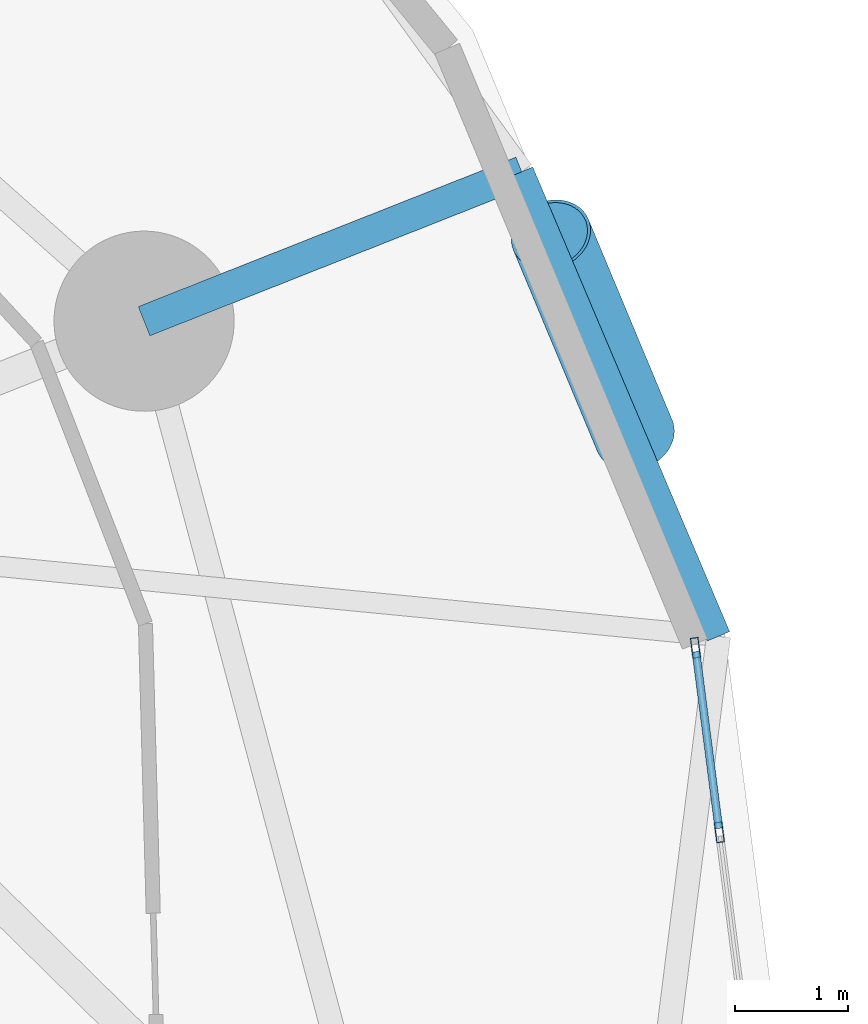
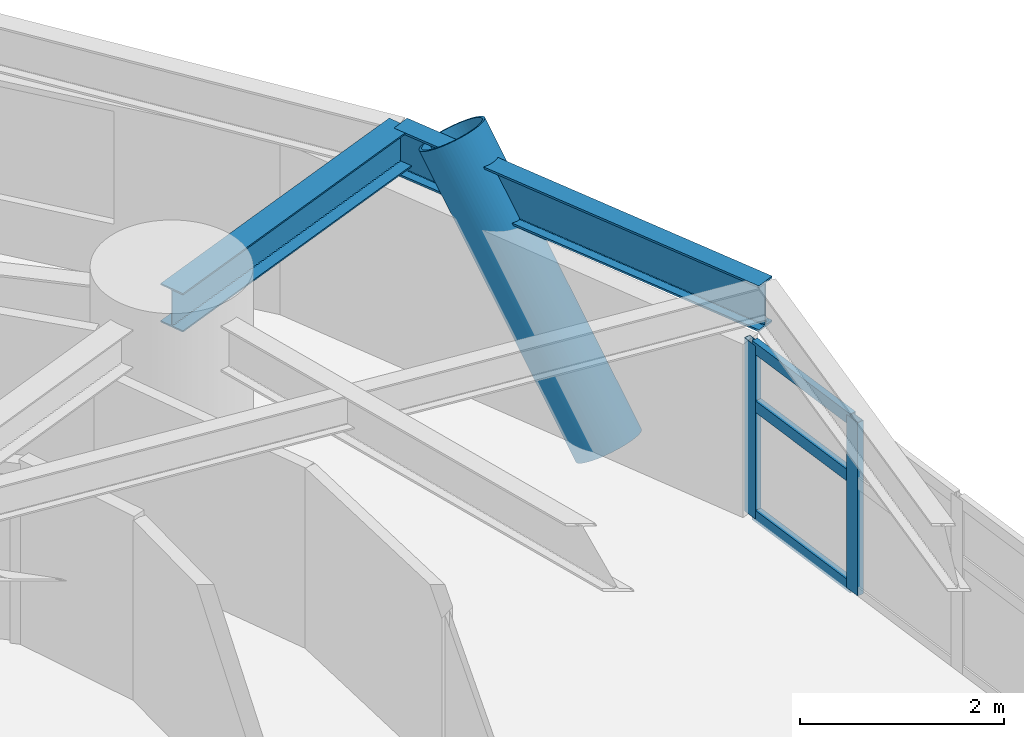
# One storey, part 4 of 19: 6 members, 2 beams, 1 element without a shape of its own.
"""IFC4 building model written with IfcOpenShell, lengths in metres."""

from ifc_helpers import new_model, si_unit, direction, frame, origin, origin_2d, place, context, subcontext, project, spatial, hollow_rectangle, hollow_circle, i_section, extrude, material, layer, layer_set, material_profile, profile_set, type_object, element, aggregate, save


model = new_model("IFC4")

# Units and contexts
model_context = context("Model", 3, precision=1e-05, world=origin(), true_north=direction((0.0, 1.0)))
body_context = subcontext(model_context, "Body", "Model", "MODEL_VIEW")
ifc_project = project(units=[si_unit("LENGTHUNIT", "METRE"), si_unit("AREAUNIT", "SQUARE_METRE"), si_unit("VOLUMEUNIT", "CUBIC_METRE"), si_unit("PLANEANGLEUNIT", "RADIAN"), si_unit("MASSUNIT", "GRAM", prefix="KILO")], contexts=[model_context])

# Site, building, storey
site_placement = place(None, origin())
site = spatial("IfcSite", under=ifc_project, at=site_placement, CompositionType="ELEMENT")
building_placement = place(site_placement, origin())
building = spatial("IfcBuilding", under=site, at=building_placement, Name="Cununo Teusaquillo Station Towers", CompositionType="ELEMENT")
storey_placement = place(building_placement, frame((0.0, 0.0, 42.3701171875)))
storey = spatial("IfcBuildingStorey", under=building, at=storey_placement, Name="L12", CompositionType="ELEMENT", Elevation=42.3701171875)

# Beams
ifc_material_1 = material(Name="Steel ASTM A572 Grade 50", Category="steel")
ifc_material_profile_1 = material_profile(ifc_material_1, i_section(OverallWidth=0.280029296875, OverallDepth=0.462890625, WebThickness=0.0107421875, FlangeThickness=0.017333984375, FilletRadius=0.013916015625, at=origin_2d()), Name="W18X76")
ifc_profile_set_1 = profile_set([ifc_material_profile_1], Name="Steel ASTM A572 Grade 50")
beam_type_1 = type_object("IfcBeamType", Name="BM-RAD-G1", PredefinedType="BEAM", material=ifc_profile_set_1)
beam_1_placement = place(storey_placement, frame((26.347412109375, 33.228515625, 2.41845703125), z_axis=(0.92986596044, 0.367898485476, 0.0), x_axis=(-0.367898485476, 0.92986596044, 0.0)))
element("IfcBeam", 1, at=beam_1_placement, inside=storey, type_object=beam_type_1, Name="L12 Tower A Perimeter Overhang Girder 02B", PredefinedType="BEAM", context=body_context, shape_type="SweptSolid", body=[
    extrude(i_section(OverallWidth=0.280029296875, OverallDepth=0.462890625, WebThickness=0.0107421875, FlangeThickness=0.017333984375, FilletRadius=0.013916015625, at=origin_2d()), origin(), (0.0, 0.0, 1.0), 3.606689453125),
])
ifc_material_2 = material(Name="Steel ASTM A572 Grade 50", Category="steel")
ifc_material_profile_2 = material_profile(ifc_material_2, i_section(OverallWidth=0.214111328125, OverallDepth=0.549072265625, WebThickness=0.0146484375, FlangeThickness=0.023681640625, FilletRadius=0.014892578125, at=origin_2d()), Name="W21X93")
ifc_profile_set_2 = profile_set([ifc_material_profile_2], Name="Steel ASTM A572 Grade 50")
beam_type_2 = type_object("IfcBeamType", Name="BM-RING-Z1", PredefinedType="SPANDREL", material=ifc_profile_set_2)
beam_2_placement = place(storey_placement, frame((31.44970703125, 30.429931640625, 2.37548828125), z_axis=(-0.390233589069, 0.920715887754, 0.0), x_axis=(-0.920715887754, -0.390233589069, 0.0)))
element("IfcBeam", 2, at=beam_2_placement, inside=storey, type_object=beam_type_2, Name="L12 Tower A Spandrel Ring Beam 02", PredefinedType="SPANDREL", context=body_context, shape_type="SweptSolid", body=[
    extrude(i_section(OverallWidth=0.214111328125, OverallDepth=0.549072265625, WebThickness=0.0146484375, FlangeThickness=0.023681640625, FilletRadius=0.014892578125, at=origin_2d()), origin(), (0.0, 0.0, 1.0), 4.480712890625),
])

# Curtain wall, members
ifc_material_3 = material(Name="Ceramic-fritted dark low-E double glazing", Category="glass")
ifc_layer = layer(ifc_material_3, 0.179931640625)
ifc_layer_set = layer_set([ifc_layer], Name="Ceramic-fritted dark low-E double glazing")
curtain_wall_type = type_object("IfcCurtainWallType", Name="CW-SYS-02", PredefinedType="USERDEFINED", material=ifc_layer_set)
curtain_wall_placement = place(storey_placement, origin())
curtain_wall = element("IfcCurtainWall", 3, at=curtain_wall_placement, inside=storey, type_object=curtain_wall_type, Name="L12 Tower A Facade Curtain Wall C00", ObjectType="FRITTED GLAZING", PredefinedType="USERDEFINED")
ifc_material_4 = material(Name="Anodised dark bronze aluminium EN AW-6063-T6", Category="aluminium")
ifc_material_profile_3 = material_profile(ifc_material_4, hollow_rectangle(XDim=0.070068359375, YDim=0.179931640625, WallThickness=0.00390625, at=origin_2d()), Name="CW-MULL-70x180")
ifc_profile_set_3 = profile_set([ifc_material_profile_3], Name="Anodised dark bronze aluminium EN AW-6063-T6")
member_type_1 = type_object("IfcMemberType", Name="CWM-180", PredefinedType="MULLION", material=ifc_profile_set_3)
member_1_placement = place(storey_placement, frame((31.244873046875, 30.327392578125, 0.0), z_axis=(0.0, 0.0, 1.0), x_axis=(0.991730798481, 0.128335588771, 0.0)))
member_1 = element("IfcMember", 4, at=member_1_placement, type_object=member_type_1, Name="CW-02 mullion 1", PredefinedType="MULLION", context=body_context, shape_type="SweptSolid", body=[
    extrude(hollow_rectangle(XDim=0.070068359375, YDim=0.179931640625, WallThickness=0.00390625, at=origin_2d()), origin(), (0.0, 0.0, 1.0), 2.072998046875),
])
member_2_placement = place(storey_placement, frame((31.456787109375, 28.68896484375, 0.0), z_axis=(0.0, 0.0, 1.0), x_axis=(0.991730798481, 0.128335588771, 0.0)))
member_2 = element("IfcMember", 5, at=member_2_placement, type_object=member_type_1, Name="CW-02 mullion 2", PredefinedType="MULLION", context=body_context, shape_type="SweptSolid", body=[
    extrude(hollow_rectangle(XDim=0.070068359375, YDim=0.179931640625, WallThickness=0.00390625, at=origin_2d()), origin(), (0.0, 0.0, 1.0), 2.072998046875),
])
ifc_material_5 = material(Name="Anodised dark bronze aluminium EN AW-6063-T6", Category="aluminium")
ifc_material_profile_4 = material_profile(ifc_material_5, hollow_rectangle(XDim=0.070068359375, YDim=0.139892578125, WallThickness=0.00390625, at=origin_2d()), Name="CW-TRAN-70x140")
ifc_profile_set_4 = profile_set([ifc_material_profile_4], Name="Anodised dark bronze aluminium EN AW-6063-T6")
member_type_2 = type_object("IfcMemberType", Name="CWT-140", PredefinedType="USERDEFINED", material=ifc_profile_set_4)
member_3_placement = place(storey_placement, frame((31.249267578125, 30.292724609375, 0.034912109375), z_axis=(0.128402247984, -0.991722170123, 0.0), x_axis=(0.991722170123, 0.128402247984, 0.0)))
member_3 = element("IfcMember", 6, at=member_3_placement, type_object=member_type_2, Name="CW-02 transom 1.1", ObjectType="TRANSOM", PredefinedType="USERDEFINED", context=body_context, shape_type="SweptSolid", body=[
    extrude(hollow_rectangle(XDim=0.070068359375, YDim=0.139892578125, WallThickness=0.00390625, at=origin_2d()), origin(), (0.0, 0.0, 1.0), 1.58203125),
])
member_4_placement = place(storey_placement, frame((31.249267578125, 30.292724609375, 1.346923828125), z_axis=(0.128402247984, -0.991722170123, 0.0), x_axis=(0.991722170123, 0.128402247984, 0.0)))
member_4 = element("IfcMember", 7, at=member_4_placement, type_object=member_type_2, Name="CW-02 transom 1.2", ObjectType="TRANSOM", PredefinedType="USERDEFINED", context=body_context, shape_type="SweptSolid", body=[
    extrude(hollow_rectangle(XDim=0.070068359375, YDim=0.139892578125, WallThickness=0.00390625, at=origin_2d()), origin(), (0.0, 0.0, 1.0), 1.58203125),
])
member_5_placement = place(storey_placement, frame((31.249267578125, 30.292724609375, 2.037841796875), z_axis=(0.128402247984, -0.991722170123, 0.0), x_axis=(0.991722170123, 0.128402247984, 0.0)))
member_5 = element("IfcMember", 8, at=member_5_placement, type_object=member_type_2, Name="CW-02 transom 1.3", ObjectType="TRANSOM", PredefinedType="USERDEFINED", context=body_context, shape_type="SweptSolid", body=[
    extrude(hollow_rectangle(XDim=0.070068359375, YDim=0.139892578125, WallThickness=0.00390625, at=origin_2d()), origin(), (0.0, 0.0, 1.0), 1.58203125),
])
aggregate(curtain_wall, [member_1, member_2, member_3, member_4, member_5])

# Member
ifc_material_6 = material(Name="Steel EN 10025-2 S355J2", Category="steel")
ifc_material_profile_5 = material_profile(ifc_material_6, hollow_circle(Radius=0.360107421875, WallThickness=0.028076171875, at=origin_2d()), Name="CHS 720x28")
ifc_profile_set_5 = profile_set([ifc_material_profile_5], Name="Steel EN 10025-2 S355J2")
member_type_3 = type_object("IfcMemberType", Name="MBR-DIAG-Z1", PredefinedType="BRACE", material=ifc_profile_set_5)
member_6_placement = place(storey_placement, frame((30.705322265625, 32.213134765625, -0.14013671875), z_axis=(-0.213036825729, 0.510505569267, 0.833066248644), x_axis=(-0.922867447473, -0.38511774095, 0.0)))
element("IfcMember", 9, at=member_6_placement, inside=storey, type_object=member_type_3, Name="L12 Tower A Folded-Zigzag Diagrid Tube C01", PredefinedType="BRACE", context=body_context, shape_type="SweptSolid", body=[
    extrude(hollow_circle(Radius=0.360107421875, WallThickness=0.028076171875, at=origin_2d()), origin(), (0.0, 0.0, 1.0), 3.492919921875),
])

save(model, "model.ifc")
